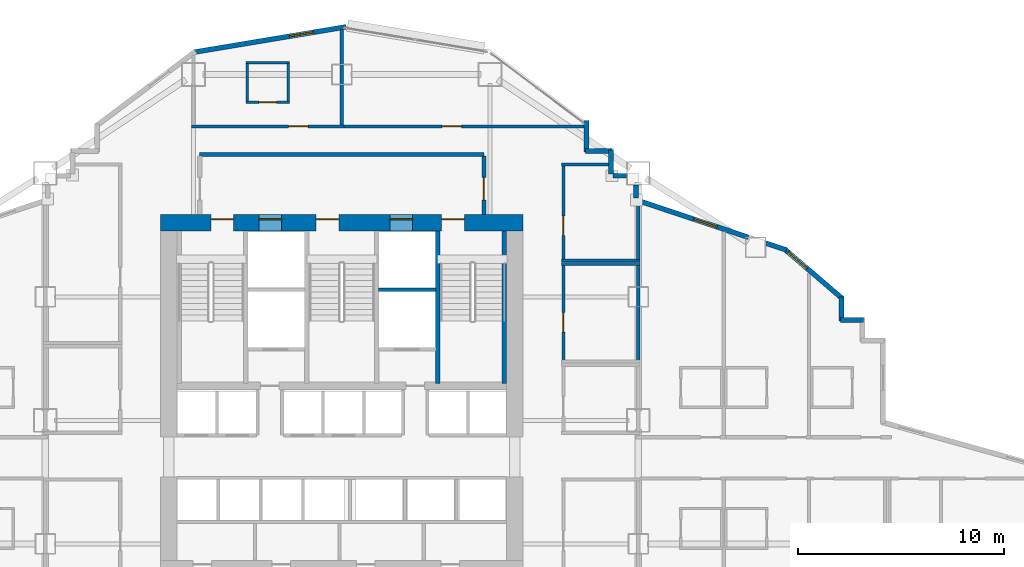
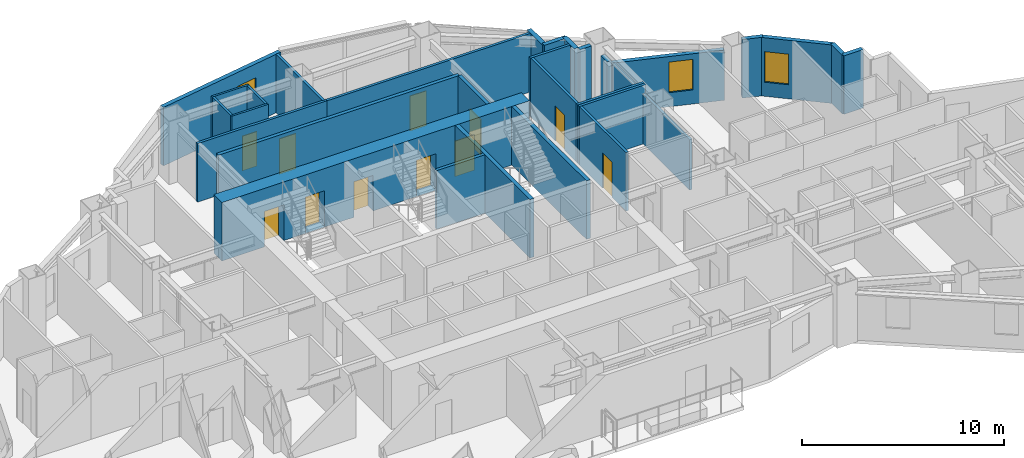
# One storey, part 12 of 16: 31 walls, 11 doors, 3 windows, 14 openings.
"""IFC4 building model written with IfcOpenShell, lengths in metres."""

from ifc_helpers import new_model, si_unit, direction, frame, frame_2d, origin, place, context, subcontext, project, spatial, rectangle, extrude, material, layer, layer_set, type_object, element, fill, save


model = new_model("IFC4")

# Units and contexts
model_context = context("Model", 3, precision=1e-05, world=origin(), true_north=direction((0.0, 1.0)))
body_context = subcontext(model_context, "Body", "Model", "MODEL_VIEW")
ifc_project = project(units=[si_unit("LENGTHUNIT", "METRE"), si_unit("AREAUNIT", "SQUARE_METRE"), si_unit("VOLUMEUNIT", "CUBIC_METRE"), si_unit("PLANEANGLEUNIT", "RADIAN"), si_unit("MASSUNIT", "GRAM", prefix="KILO")], contexts=[model_context])

# Site, building, storey
site_placement = place(None, origin())
site = spatial("IfcSite", under=ifc_project, at=site_placement, CompositionType="ELEMENT")
building_placement = place(site_placement, origin())
building = spatial("IfcBuilding", under=site, at=building_placement, Name="Haolan Belvedere Tower", CompositionType="ELEMENT")
storey_placement = place(building_placement, frame((0.0, 0.0, 85.60009765625)))
storey = spatial("IfcBuildingStorey", under=building, at=storey_placement, Name="L21", CompositionType="ELEMENT", Elevation=85.60009765625)

# Wall, openings, doors
ifc_material_1 = material(Name="Concrete C70/85", Category="concrete")
ifc_layer_1 = layer(ifc_material_1, 0.800048828125, Name="Concrete C70/85")
ifc_layer_set_1 = layer_set([ifc_layer_1], Name="Concrete C70/85")
wall_type_1 = type_object("IfcWallType", Name="WL-CORE-800", PredefinedType="SHEAR", material=ifc_layer_set_1)
wall_1_placement = place(storey_placement, frame((29.60009765625, 43.199951171875, 0.0), z_axis=(0.0, 0.0, 1.0), x_axis=(1.0, 0.0, 0.0)))
wall_1 = element("IfcWall", 1, at=wall_1_placement, inside=storey, type_object=wall_type_1, Name="L21 central core north shear wall", PredefinedType="SHEAR", context=body_context, shape_type="SweptSolid", body=[
    extrude(rectangle(XDim=17.599853515625, YDim=0.800048828125, at=frame_2d((8.7998046875, 0.0))), origin(), (0.0, 0.0, 1.0), 3.539794921875),
])
opening_1_placement = place(wall_1_placement, frame((2.449951171875, 0.0, 0.0)))
opening_1 = element("IfcOpeningElement", 2, at=opening_1_placement, cuts=wall_1, Name="Opening FD-03", PredefinedType="OPENING", context=body_context, shape_type="SweptSolid", body=[
    extrude(rectangle(XDim=1.10009765625, YDim=2.14990234375, at=frame_2d((0.550048828125, 1.074951171875))), frame((0.0, 0.409912109375, 0.0), z_axis=(0.0, -1.0, 0.0), x_axis=(1.0, 0.0, 0.0)), (0.0, 0.0, 1.0), 0.820068359375),
])
opening_2_placement = place(wall_1_placement, frame((7.56005859375, 0.0, 0.0)))
opening_2 = element("IfcOpeningElement", 3, at=opening_2_placement, cuts=wall_1, Name="Opening FD-03", PredefinedType="OPENING", context=body_context, shape_type="SweptSolid", body=[
    extrude(rectangle(XDim=1.10009765625, YDim=2.14990234375, at=frame_2d((0.550048828125, 1.074951171875))), frame((0.0, 0.409912109375, 0.0), z_axis=(0.0, -1.0, 0.0), x_axis=(1.0, 0.0, 0.0)), (0.0, 0.0, 1.0), 0.820068359375),
])
opening_3_placement = place(wall_1_placement, frame((13.64990234375, 0.0, 0.0)))
opening_3 = element("IfcOpeningElement", 4, at=opening_3_placement, cuts=wall_1, Name="Opening FD-03", PredefinedType="OPENING", context=body_context, shape_type="SweptSolid", body=[
    extrude(rectangle(XDim=1.10009765625, YDim=2.14990234375, at=frame_2d((0.550048828125, 1.074951171875))), frame((0.0, 0.409912109375, 0.0), z_axis=(0.0, -1.0, 0.0), x_axis=(1.0, 0.0, 0.0)), (0.0, 0.0, 1.0), 0.820068359375),
])
opening_4_placement = place(wall_1_placement, frame((4.780029296875, 0.0, 0.0)))
opening_4 = element("IfcOpeningElement", 5, at=opening_4_placement, cuts=wall_1, Name="Opening LD-01", PredefinedType="OPENING", context=body_context, shape_type="SweptSolid", body=[
    extrude(rectangle(XDim=1.10009765625, YDim=2.199951171875, at=frame_2d((0.550048828125, 1.10009765625))), frame((0.0, 0.409912109375, 0.0), z_axis=(0.0, -1.0, 0.0), x_axis=(1.0, 0.0, 0.0)), (0.0, 0.0, 1.0), 0.820068359375),
])
opening_5_placement = place(wall_1_placement, frame((11.139892578125, 0.0, 0.0)))
opening_5 = element("IfcOpeningElement", 6, at=opening_5_placement, cuts=wall_1, Name="Opening LD-01", PredefinedType="OPENING", context=body_context, shape_type="SweptSolid", body=[
    extrude(rectangle(XDim=1.10009765625, YDim=2.199951171875, at=frame_2d((0.550048828125, 1.10009765625))), frame((0.0, 0.409912109375, 0.0), z_axis=(0.0, -1.0, 0.0), x_axis=(1.0, 0.0, 0.0)), (0.0, 0.0, 1.0), 0.820068359375),
])
ifc_material_2 = material(Name="Galvanised fire-rated steel", Category="steel")
door_type_1 = type_object("IfcDoorType", Name="DR-FD90-1100", OperationType="NOTDEFINED", PredefinedType="DOOR", material=ifc_material_2)
door_1_placement = place(opening_1_placement, origin())
door_1 = element("IfcDoor", 7, at=door_1_placement, inside=storey, type_object=door_type_1, Name="L21 door CD-L21-ST1", OperationType="SINGLE_SWING_LEFT", OverallHeight=2.14990234375, OverallWidth=1.10009765625, PredefinedType="DOOR", context=body_context, shape_type="SweptSolid", body=[
    extrude(rectangle(XDim=1.10009765625, YDim=2.14990234375, at=frame_2d((0.550048828125, 1.074951171875))), frame((0.0, 0.18505859375, 0.0), z_axis=(0.0, -1.0, 0.0), x_axis=(1.0, 0.0, 0.0)), (0.0, 0.0, 1.0), 0.050048828125),
])
fill(opening_1, door_1)
door_2_placement = place(opening_2_placement, origin())
door_2 = element("IfcDoor", 8, at=door_2_placement, inside=storey, type_object=door_type_1, Name="L21 door CD-L21-ST3", OperationType="SINGLE_SWING_LEFT", OverallHeight=2.14990234375, OverallWidth=1.10009765625, PredefinedType="DOOR", context=body_context, shape_type="SweptSolid", body=[
    extrude(rectangle(XDim=1.10009765625, YDim=2.14990234375, at=frame_2d((0.550048828125, 1.074951171875))), frame((0.0, 0.18505859375, 0.0), z_axis=(0.0, -1.0, 0.0), x_axis=(1.0, 0.0, 0.0)), (0.0, 0.0, 1.0), 0.050048828125),
])
fill(opening_2, door_2)
door_3_placement = place(opening_3_placement, origin())
door_3 = element("IfcDoor", 9, at=door_3_placement, inside=storey, type_object=door_type_1, Name="L21 door CD-L21-ST2", OperationType="SINGLE_SWING_RIGHT", OverallHeight=2.14990234375, OverallWidth=1.10009765625, PredefinedType="DOOR", context=body_context, shape_type="SweptSolid", body=[
    extrude(rectangle(XDim=1.10009765625, YDim=2.14990234375, at=frame_2d((0.550048828125, 1.074951171875))), frame((0.0, 0.18505859375, 0.0), z_axis=(0.0, -1.0, 0.0), x_axis=(1.0, 0.0, 0.0)), (0.0, 0.0, 1.0), 0.050048828125),
])
fill(opening_3, door_3)
ifc_material_3 = material(Name="Brushed champagne stainless steel 316L", Category="steel")
door_type_2 = type_object("IfcDoorType", Name="DR-LIFT-1100", OperationType="SLIDING_TO_LEFT", PredefinedType="DOOR", material=ifc_material_3)
door_4_placement = place(opening_4_placement, origin())
door_4 = element("IfcDoor", 10, at=door_4_placement, inside=storey, type_object=door_type_2, Name="L21 door LD-L21-FF1", OperationType="SLIDING_TO_LEFT", OverallHeight=2.199951171875, OverallWidth=1.10009765625, PredefinedType="DOOR", context=body_context, shape_type="SweptSolid", body=[
    extrude(rectangle(XDim=1.10009765625, YDim=2.199951171875, at=frame_2d((0.550048828125, 1.10009765625))), frame((0.0, 0.18505859375, 0.0), z_axis=(0.0, -1.0, 0.0), x_axis=(1.0, 0.0, 0.0)), (0.0, 0.0, 1.0), 0.050048828125),
])
fill(opening_4, door_4)
door_5_placement = place(opening_5_placement, origin())
door_5 = element("IfcDoor", 11, at=door_5_placement, inside=storey, type_object=door_type_2, Name="L21 door LD-L21-FF2", OperationType="SLIDING_TO_LEFT", OverallHeight=2.199951171875, OverallWidth=1.10009765625, PredefinedType="DOOR", context=body_context, shape_type="SweptSolid", body=[
    extrude(rectangle(XDim=1.10009765625, YDim=2.199951171875, at=frame_2d((0.550048828125, 1.10009765625))), frame((0.0, 0.18505859375, 0.0), z_axis=(0.0, -1.0, 0.0), x_axis=(1.0, 0.0, 0.0)), (0.0, 0.0, 1.0), 0.050048828125),
])
fill(opening_5, door_5)

# Walls
ifc_material_4 = material(Name="Precast concrete C40/50", Category="concrete")
ifc_layer_2 = layer(ifc_material_4, 0.239990234375, Name="Precast concrete C40/50")
ifc_layer_set_2 = layer_set([ifc_layer_2], Name="Precast concrete C40/50")
wall_type_2 = type_object("IfcWallType", Name="WL-EXT-240", PredefinedType="SOLIDWALL", material=ifc_layer_set_2)
wall_2_placement = place(storey_placement, frame((63.735107421875, 38.47998046875, 0.0), z_axis=(0.0, 0.0, 1.0), x_axis=(-1.0, 0.0, 0.0)))
element("IfcWall", 12, at=wall_2_placement, inside=storey, type_object=wall_type_2, Name="L21 pale-metal exterior spandrel wall 32.1", PredefinedType="SOLIDWALL", context=body_context, shape_type="SweptSolid", body=[
    extrude(rectangle(XDim=1.110107421875, YDim=0.239990234375, at=frame_2d((0.55517578125, 0.0))), origin(), (0.0, 0.0, 1.0), 3.539794921875),
])
wall_3_placement = place(storey_placement, frame((62.679931640625, 38.425048828125, 0.0), z_axis=(0.0, 0.0, 1.0), x_axis=(0.0, 1.0, 0.0)))
element("IfcWall", 13, at=wall_3_placement, inside=storey, type_object=wall_type_2, Name="L21 pale-metal exterior spandrel wall 33.1", PredefinedType="SOLIDWALL", context=body_context, shape_type="SweptSolid", body=[
    extrude(rectangle(XDim=1.1748046875, YDim=0.239990234375, at=frame_2d((0.58740234375, 0.0))), origin(), (0.0, 0.0, 1.0), 3.539794921875),
])

# Wall, opening, window
wall_4_placement = place(storey_placement, frame((62.7216796875, 39.509033203125, 0.0), z_axis=(0.0, 0.0, 1.0), x_axis=(-0.759247334792, 0.650802185469, 0.0)))
wall_4 = element("IfcWall", 14, at=wall_4_placement, inside=storey, type_object=wall_type_2, Name="L21 pale-metal exterior spandrel wall 34.1", PredefinedType="SOLIDWALL", context=body_context, shape_type="SweptSolid", body=[
    extrude(rectangle(XDim=3.71923828125, YDim=0.239990234375, at=frame_2d((1.859619140625, 0.0))), origin(), (0.0, 0.0, 1.0), 3.539794921875),
])
opening_6_placement = place(wall_4_placement, frame((2.281005859375, 0.0, 0.85009765625)))
opening_6 = element("IfcOpeningElement", 15, at=opening_6_placement, cuts=wall_4, Name="Opening W-01", PredefinedType="OPENING", context=body_context, shape_type="SweptSolid", body=[
    extrude(rectangle(XDim=1.199951171875, YDim=1.85009765625, at=frame_2d((0.60009765625, 0.925048828125))), frame((0.0, 0.1298828125, 0.0), z_axis=(0.0, -1.0, 0.0), x_axis=(1.0, 0.0, 0.0)), (0.0, 0.0, 1.0), 0.260009765625),
])
ifc_material_5 = material(Name="Anodised aluminium 6063-T6 and Low-E glass", Category="aluminium")
window_type = type_object("IfcWindowType", Name="WN-DECO-Z1", PartitioningType="SINGLE_PANEL", PredefinedType="WINDOW", material=ifc_material_5)
window_1_placement = place(opening_6_placement, origin())
window_1 = element("IfcWindow", 16, at=window_1_placement, inside=storey, type_object=window_type, Name="L21 Art Deco chevron window 1", OverallHeight=1.85009765625, OverallWidth=1.199951171875, PartitioningType="SINGLE_PANEL", PredefinedType="WINDOW", context=body_context, shape_type="SweptSolid", body=[
    extrude(rectangle(XDim=1.199951171875, YDim=1.85009765625, at=frame_2d((0.60009765625, 0.925048828125))), frame((0.0, 0.030029296875, 0.0), z_axis=(0.0, -1.0, 0.0), x_axis=(1.0, 0.0, 0.0)), (0.0, 0.0, 1.0), 0.06005859375),
])
fill(opening_6, window_1)

# Wall
wall_5_placement = place(storey_placement, frame((59.991943359375, 41.876220703125, 0.0), z_axis=(0.0, 0.0, 1.0), x_axis=(-0.948706457285, 0.316158279832, 0.0)))
element("IfcWall", 17, at=wall_5_placement, inside=storey, type_object=wall_type_2, Name="L21 pale-metal exterior spandrel wall 35.1", PredefinedType="SOLIDWALL", context=body_context, shape_type="SweptSolid", body=[
    extrude(rectangle(XDim=1.053955078125, YDim=0.239990234375, at=frame_2d((0.52685546875, 0.0))), origin(), (0.0, 0.0, 1.0), 3.539794921875),
])

# Wall, opening, window
wall_6_placement = place(storey_placement, frame((58.14453125, 42.491943359375, 0.0), z_axis=(0.0, 0.0, 1.0), x_axis=(-0.948683298051, 0.316227766017, 0.0)))
wall_6 = element("IfcWall", 18, at=wall_6_placement, inside=storey, type_object=wall_type_2, Name="L21 pale-metal exterior spandrel wall 35.2", PredefinedType="SOLIDWALL", context=body_context, shape_type="SweptSolid", body=[
    extrude(rectangle(XDim=5.67529296875, YDim=0.239990234375, at=frame_2d((2.837646484375, 0.0))), origin(), (0.0, 0.0, 1.0), 3.036865234375),
])
opening_7_placement = place(wall_6_placement, frame((1.60009765625, 0.0, 0.85009765625)))
opening_7 = element("IfcOpeningElement", 19, at=opening_7_placement, cuts=wall_6, Name="Opening W-01", PredefinedType="OPENING", context=body_context, shape_type="SweptSolid", body=[
    extrude(rectangle(XDim=1.199951171875, YDim=1.85009765625, at=frame_2d((0.60009765625, 0.925048828125))), frame((0.0, 0.1298828125, 0.0), z_axis=(0.0, -1.0, 0.0), x_axis=(1.0, 0.0, 0.0)), (0.0, 0.0, 1.0), 0.260009765625),
])
window_2_placement = place(opening_7_placement, origin())
window_2 = element("IfcWindow", 20, at=window_2_placement, inside=storey, type_object=window_type, Name="L21 Art Deco chevron window 1", OverallHeight=1.85009765625, OverallWidth=1.199951171875, PartitioningType="SINGLE_PANEL", PredefinedType="WINDOW", context=body_context, shape_type="SweptSolid", body=[
    extrude(rectangle(XDim=1.199951171875, YDim=1.85009765625, at=frame_2d((0.60009765625, 0.925048828125))), frame((0.0, 0.030029296875, 0.0), z_axis=(0.0, -1.0, 0.0), x_axis=(1.0, 0.0, 0.0)), (0.0, 0.0, 1.0), 0.06005859375),
])
fill(opening_7, window_2)

# Walls
wall_7_placement = place(storey_placement, frame((52.679931640625, 44.3984375, 0.0), z_axis=(0.0, 0.0, 1.0), x_axis=(0.0, 1.0, 0.0)))
element("IfcWall", 21, at=wall_7_placement, inside=storey, type_object=wall_type_2, Name="L21 pale-metal exterior spandrel wall 36.1", PredefinedType="SOLIDWALL", context=body_context, shape_type="SweptSolid", body=[
    extrude(rectangle(XDim=0.634521484375, YDim=0.239990234375, at=frame_2d((0.3173828125, 0.0))), origin(), (0.0, 0.0, 1.0), 3.036865234375),
])
wall_8_placement = place(storey_placement, frame((52.23291015625, 45.47998046875, 0.0), z_axis=(0.0, 0.0, 1.0), x_axis=(-1.0, 0.0, 0.0)))
element("IfcWall", 22, at=wall_8_placement, inside=storey, type_object=wall_type_2, Name="L21 pale-metal exterior spandrel wall 37.1", PredefinedType="SOLIDWALL", context=body_context, shape_type="SweptSolid", body=[
    extrude(rectangle(XDim=0.66796875, YDim=0.239990234375, at=frame_2d((0.333984375, 0.0))), origin(), (0.0, 0.0, 1.0), 3.539794921875),
])
wall_9_placement = place(storey_placement, frame((51.47998046875, 45.56494140625, 0.0), z_axis=(0.0, 0.0, 1.0), x_axis=(0.0, 1.0, 0.0)))
element("IfcWall", 23, at=wall_9_placement, inside=storey, type_object=wall_type_2, Name="L21 pale-metal exterior spandrel wall 38.1", PredefinedType="SOLIDWALL", context=body_context, shape_type="SweptSolid", body=[
    extrude(rectangle(XDim=1.170166015625, YDim=0.239990234375, at=frame_2d((0.5849609375, 0.0))), origin(), (0.0, 0.0, 1.0), 3.539794921875),
])
wall_10_placement = place(storey_placement, frame((51.534912109375, 46.679931640625, 0.0), z_axis=(0.0, 0.0, 1.0), x_axis=(-1.0, 0.0, 0.0)))
element("IfcWall", 24, at=wall_10_placement, inside=storey, type_object=wall_type_2, Name="L21 pale-metal exterior spandrel wall 39.1", PredefinedType="SOLIDWALL", context=body_context, shape_type="SweptSolid", body=[
    extrude(rectangle(XDim=1.309814453125, YDim=0.239990234375, at=frame_2d((0.65478515625, 0.0))), origin(), (0.0, 0.0, 1.0), 3.539794921875),
])
wall_11_placement = place(storey_placement, frame((50.280029296875, 46.625, 0.0), z_axis=(0.0, 0.0, 1.0), x_axis=(0.0, 1.0, 0.0)))
element("IfcWall", 25, at=wall_11_placement, inside=storey, type_object=wall_type_2, Name="L21 pale-metal exterior spandrel wall 40.1", PredefinedType="SOLIDWALL", context=body_context, shape_type="SweptSolid", body=[
    extrude(rectangle(XDim=1.5400390625, YDim=0.239990234375, at=frame_2d((0.77001953125, 0.0))), origin(), (0.0, 0.0, 1.0), 3.539794921875),
])

# Wall, opening, window
wall_12_placement = place(storey_placement, frame((38.621826171875, 52.71533203125, 0.0), z_axis=(0.0, 0.0, 1.0), x_axis=(-0.98639129485, -0.164414760418, 0.0)))
wall_12 = element("IfcWall", 26, at=wall_12_placement, inside=storey, type_object=wall_type_2, Name="L21 pale-metal exterior spandrel wall 43.1", PredefinedType="SOLIDWALL", context=body_context, shape_type="SweptSolid", body=[
    extrude(rectangle(XDim=7.530029296875, YDim=0.239990234375, at=frame_2d((3.76513671875, 0.0))), origin(), (0.0, 0.0, 1.0), 3.539794921875),
])
opening_8_placement = place(wall_12_placement, frame((1.60009765625, 0.0, 0.85009765625)))
opening_8 = element("IfcOpeningElement", 27, at=opening_8_placement, cuts=wall_12, Name="Opening W-01", PredefinedType="OPENING", context=body_context, shape_type="SweptSolid", body=[
    extrude(rectangle(XDim=1.199951171875, YDim=1.85009765625, at=frame_2d((0.60009765625, 0.925048828125))), frame((0.0, 0.1298828125, 0.0), z_axis=(0.0, -1.0, 0.0), x_axis=(1.0, 0.0, 0.0)), (0.0, 0.0, 1.0), 0.260009765625),
])
window_3_placement = place(opening_8_placement, origin())
window_3 = element("IfcWindow", 28, at=window_3_placement, inside=storey, type_object=window_type, Name="L21 Art Deco chevron window 1", OverallHeight=1.85009765625, OverallWidth=1.199951171875, PartitioningType="SINGLE_PANEL", PredefinedType="WINDOW", context=body_context, shape_type="SweptSolid", body=[
    extrude(rectangle(XDim=1.199951171875, YDim=1.85009765625, at=frame_2d((0.60009765625, 0.925048828125))), frame((0.0, 0.030029296875, 0.0), z_axis=(0.0, -1.0, 0.0), x_axis=(1.0, 0.0, 0.0)), (0.0, 0.0, 1.0), 0.06005859375),
])
fill(opening_8, window_3)

# Wall
ifc_material_6 = material(Name="Concrete C40/50", Category="concrete")
ifc_layer_3 = layer(ifc_material_6, 0.199951171875, Name="Concrete C40/50")
ifc_layer_set_3 = layer_set([ifc_layer_3], Name="Concrete C40/50")
wall_type_3 = type_object("IfcWallType", Name="WL-FIRE-200", PredefinedType="SOLIDWALL", material=ifc_layer_set_3)
wall_13_placement = place(storey_placement, frame((31.5, 46.52001953125, 0.0), z_axis=(0.0, 0.0, 1.0), x_axis=(1.0, 0.0, 0.0)))
element("IfcWall", 29, at=wall_13_placement, inside=storey, type_object=wall_type_3, Name="L21 interior partition IW-L21-FFL-N", PredefinedType="SOLIDWALL", context=body_context, shape_type="SweptSolid", body=[
    extrude(rectangle(XDim=13.800048828125, YDim=0.199951171875, at=frame_2d((6.89990234375, 0.0))), origin(), (0.0, 0.0, 1.0), 3.539794921875),
])

# Wall, opening, door
wall_14_placement = place(storey_placement, frame((45.300048828125, 43.60009765625, 0.0), z_axis=(0.0, 0.0, 1.0), x_axis=(0.0, 1.0, 0.0)))
wall_14 = element("IfcWall", 30, at=wall_14_placement, inside=storey, type_object=wall_type_3, Name="L21 interior partition IW-L21-FFL-E", PredefinedType="SOLIDWALL", context=body_context, shape_type="SweptSolid", body=[
    extrude(rectangle(XDim=2.8349609375, YDim=0.199951171875, at=frame_2d((1.41748046875, 0.0))), origin(), (0.0, 0.0, 1.0), 3.539794921875),
])
opening_9_placement = place(wall_14_placement, frame((0.699951171875, 0.0, 0.0)))
opening_9 = element("IfcOpeningElement", 31, at=opening_9_placement, cuts=wall_14, Name="Opening FD-03", PredefinedType="OPENING", context=body_context, shape_type="SweptSolid", body=[
    extrude(rectangle(XDim=1.10009765625, YDim=2.14990234375, at=frame_2d((0.550048828125, 1.074951171875))), frame((0.0, 0.10986328125, 0.0), z_axis=(0.0, -1.0, 0.0), x_axis=(1.0, 0.0, 0.0)), (0.0, 0.0, 1.0), 0.219970703125),
])
door_6_placement = place(opening_9_placement, origin())
door_6 = element("IfcDoor", 32, at=door_6_placement, inside=storey, type_object=door_type_1, Name="L21 door ID-L21-FFL-DE", OperationType="SINGLE_SWING_RIGHT", OverallHeight=2.14990234375, OverallWidth=1.10009765625, PredefinedType="DOOR", context=body_context, shape_type="SweptSolid", body=[
    extrude(rectangle(XDim=1.10009765625, YDim=2.14990234375, at=frame_2d((0.550048828125, 1.074951171875))), frame((0.0, 0.02490234375, 0.0), z_axis=(0.0, -1.0, 0.0), x_axis=(1.0, 0.0, 0.0)), (0.0, 0.0, 1.0), 0.050048828125),
])
fill(opening_9, door_6)

# Wall
ifc_material_7 = material(Name="Double gypsum acoustic stud partition", Category="masonry")
ifc_layer_4 = layer(ifc_material_7, 0.14990234375, Name="Double gypsum acoustic stud partition")
ifc_layer_set_4 = layer_set([ifc_layer_4], Name="Double gypsum acoustic stud partition")
wall_type_4 = type_object("IfcWallType", Name="WL-PART-150", PredefinedType="PARTITIONING", material=ifc_layer_set_4)
wall_15_placement = place(storey_placement, frame((49.080078125, 41.199951171875, 0.0), z_axis=(0.0, 0.0, 1.0), x_axis=(1.0, 0.0, 0.0)))
element("IfcWall", 33, at=wall_15_placement, inside=storey, type_object=wall_type_4, Name="L21 interior partition IW-L21-STY-N", PredefinedType="PARTITIONING", context=body_context, shape_type="SweptSolid", body=[
    extrude(rectangle(XDim=3.7998046875, YDim=0.14990234375, at=frame_2d((1.89990234375, 0.0))), origin(), (0.0, 0.0, 1.0), 3.539794921875),
])

# Wall, opening, door
wall_16_placement = place(storey_placement, frame((49.159912109375, 36.52001953125, 0.0), z_axis=(0.0, 0.0, 1.0), x_axis=(0.0, 1.0, 0.0)))
wall_16 = element("IfcWall", 34, at=wall_16_placement, inside=storey, type_object=wall_type_4, Name="L21 interior partition IW-L21-STY-W", PredefinedType="PARTITIONING", context=body_context, shape_type="SweptSolid", body=[
    extrude(rectangle(XDim=4.619873046875, YDim=0.14990234375, at=frame_2d((2.31005859375, 0.0))), origin(), (0.0, 0.0, 1.0), 3.539794921875),
])
opening_10_placement = place(wall_16_placement, frame((1.360107421875, 0.0, 0.0)))
opening_10 = element("IfcOpeningElement", 35, at=opening_10_placement, cuts=wall_16, Name="Opening ID-03", PredefinedType="OPENING", context=body_context, shape_type="SweptSolid", body=[
    extrude(rectangle(XDim=0.949951171875, YDim=2.1201171875, at=frame_2d((0.47509765625, 1.06005859375))), frame((0.0, 0.0849609375, 0.0), z_axis=(0.0, -1.0, 0.0), x_axis=(1.0, 0.0, 0.0)), (0.0, 0.0, 1.0), 0.169921875),
])
ifc_material_8 = material(Name="Painted solid-core timber", Category="wood")
door_type_3 = type_object("IfcDoorType", Name="DR-INT-950", OperationType="NOTDEFINED", PredefinedType="DOOR", material=ifc_material_8)
door_7_placement = place(opening_10_placement, origin())
door_7 = element("IfcDoor", 36, at=door_7_placement, inside=storey, type_object=door_type_3, Name="L21 door ID-L21-STY", OperationType="SINGLE_SWING_RIGHT", OverallHeight=2.1201171875, OverallWidth=0.949951171875, PredefinedType="DOOR", context=body_context, shape_type="SweptSolid", body=[
    extrude(rectangle(XDim=0.949951171875, YDim=2.1201171875, at=frame_2d((0.47509765625, 1.06005859375))), frame((0.0, 0.02490234375, 0.0), z_axis=(0.0, -1.0, 0.0), x_axis=(1.0, 0.0, 0.0)), (0.0, 0.0, 1.0), 0.050048828125),
])
fill(opening_10, door_7)

# Walls
wall_17_placement = place(storey_placement, frame((52.800048828125, 36.52001953125, 0.0), z_axis=(0.0, 0.0, 1.0), x_axis=(0.0, 1.0, 0.0)))
element("IfcWall", 37, at=wall_17_placement, inside=storey, type_object=wall_type_4, Name="L21 interior partition IW-L21-STY-E", PredefinedType="PARTITIONING", context=body_context, shape_type="SweptSolid", body=[
    extrude(rectangle(XDim=4.619873046875, YDim=0.14990234375, at=frame_2d((2.31005859375, 0.0))), origin(), (0.0, 0.0, 1.0), 3.036865234375),
])
wall_18_placement = place(storey_placement, frame((49.080078125, 46.02001953125, 0.0), z_axis=(0.0, 0.0, 1.0), x_axis=(1.0, 0.0, 0.0)))
element("IfcWall", 38, at=wall_18_placement, inside=storey, type_object=wall_type_4, Name="L21 interior partition IW-L21-PNT-N", PredefinedType="PARTITIONING", context=body_context, shape_type="SweptSolid", body=[
    extrude(rectangle(XDim=2.294921875, YDim=0.14990234375, at=frame_2d((1.1474609375, 0.0))), origin(), (0.0, 0.0, 1.0), 3.539794921875),
])
wall_19_placement = place(storey_placement, frame((49.080078125, 41.360107421875, 0.0), z_axis=(0.0, 0.0, 1.0), x_axis=(1.0, 0.0, 0.0)))
element("IfcWall", 39, at=wall_19_placement, inside=storey, type_object=wall_type_4, Name="L21 interior partition IW-L21-PNT-S", PredefinedType="PARTITIONING", context=body_context, shape_type="SweptSolid", body=[
    extrude(rectangle(XDim=3.7998046875, YDim=0.14990234375, at=frame_2d((1.89990234375, 0.0))), origin(), (0.0, 0.0, 1.0), 3.539794921875),
])

# Wall, opening, door
wall_20_placement = place(storey_placement, frame((49.159912109375, 41.419921875, 0.0), z_axis=(0.0, 0.0, 1.0), x_axis=(0.0, 1.0, 0.0)))
wall_20 = element("IfcWall", 40, at=wall_20_placement, inside=storey, type_object=wall_type_4, Name="L21 interior partition IW-L21-PNT-W", PredefinedType="PARTITIONING", context=body_context, shape_type="SweptSolid", body=[
    extrude(rectangle(XDim=4.5400390625, YDim=0.14990234375, at=frame_2d((2.27001953125, 0.0))), origin(), (0.0, 0.0, 1.0), 3.539794921875),
])
opening_11_placement = place(wall_20_placement, frame((1.159912109375, 0.0, 0.0)))
opening_11 = element("IfcOpeningElement", 41, at=opening_11_placement, cuts=wall_20, Name="Opening ID-03", PredefinedType="OPENING", context=body_context, shape_type="SweptSolid", body=[
    extrude(rectangle(XDim=0.949951171875, YDim=2.1201171875, at=frame_2d((0.47509765625, 1.06005859375))), frame((0.0, 0.0849609375, 0.0), z_axis=(0.0, -1.0, 0.0), x_axis=(1.0, 0.0, 0.0)), (0.0, 0.0, 1.0), 0.169921875),
])
door_8_placement = place(opening_11_placement, origin())
door_8 = element("IfcDoor", 42, at=door_8_placement, inside=storey, type_object=door_type_3, Name="L21 door ID-L21-PNT", OperationType="SINGLE_SWING_LEFT", OverallHeight=2.1201171875, OverallWidth=0.949951171875, PredefinedType="DOOR", context=body_context, shape_type="SweptSolid", body=[
    extrude(rectangle(XDim=0.949951171875, YDim=2.1201171875, at=frame_2d((0.47509765625, 1.06005859375))), frame((0.0, 0.02490234375, 0.0), z_axis=(0.0, -1.0, 0.0), x_axis=(1.0, 0.0, 0.0)), (0.0, 0.0, 1.0), 0.050048828125),
])
fill(opening_11, door_8)

# Wall
wall_21_placement = place(storey_placement, frame((52.800048828125, 41.419921875, 0.0), z_axis=(0.0, 0.0, 1.0), x_axis=(0.0, 1.0, 0.0)))
element("IfcWall", 43, at=wall_21_placement, inside=storey, type_object=wall_type_4, Name="L21 interior partition IW-L21-PNT-E", PredefinedType="PARTITIONING", context=body_context, shape_type="SweptSolid", body=[
    extrude(rectangle(XDim=2.742919921875, YDim=0.14990234375, at=frame_2d((1.37158203125, 0.0))), origin(), (0.0, 0.0, 1.0), 3.036865234375),
])

# Wall, opening, door
wall_22_placement = place(storey_placement, frame((31.10009765625, 47.8798828125, 0.0), z_axis=(0.0, 0.0, 1.0), x_axis=(1.0, 0.0, 0.0)))
wall_22 = element("IfcWall", 44, at=wall_22_placement, inside=storey, type_object=wall_type_4, Name="L21 interior partition IW-L21-KN2-S", PredefinedType="PARTITIONING", context=body_context, shape_type="SweptSolid", body=[
    extrude(rectangle(XDim=7.39990234375, YDim=0.14990234375, at=frame_2d((3.699951171875, 0.0))), origin(), (0.0, 0.0, 1.0), 3.539794921875),
])
opening_12_placement = place(wall_22_placement, frame((4.713623046875, 0.0, 0.0)))
opening_12 = element("IfcOpeningElement", 45, at=opening_12_placement, cuts=wall_22, Name="Opening ID-02", PredefinedType="OPENING", context=body_context, shape_type="SweptSolid", body=[
    extrude(rectangle(XDim=0.949951171875, YDim=2.14990234375, at=frame_2d((0.47509765625, 1.074951171875))), frame((0.0, 0.0849609375, 0.0), z_axis=(0.0, -1.0, 0.0), x_axis=(1.0, 0.0, 0.0)), (0.0, 0.0, 1.0), 0.169921875),
])
ifc_material_9 = material(Name="Acoustic oak veneer fire-rated timber", Category="wood")
door_type_4 = type_object("IfcDoorType", Name="DR-GUEST-950", OperationType="NOTDEFINED", PredefinedType="DOOR", material=ifc_material_9)
door_9_placement = place(opening_12_placement, origin())
door_9 = element("IfcDoor", 46, at=door_9_placement, inside=storey, type_object=door_type_4, Name="L21 door ID-L21-KN2-ENT", OperationType="SINGLE_SWING_LEFT", OverallHeight=2.14990234375, OverallWidth=0.949951171875, PredefinedType="DOOR", context=body_context, shape_type="SweptSolid", body=[
    extrude(rectangle(XDim=0.949951171875, YDim=2.14990234375, at=frame_2d((0.47509765625, 1.074951171875))), frame((0.0, 0.02490234375, 0.0), z_axis=(0.0, -1.0, 0.0), x_axis=(1.0, 0.0, 0.0)), (0.0, 0.0, 1.0), 0.050048828125),
])
fill(opening_12, door_9)

# Wall
wall_23_placement = place(storey_placement, frame((38.39990234375, 47.93994140625, 0.0), z_axis=(0.0, 0.0, 1.0), x_axis=(0.0, 1.0, 0.0)))
element("IfcWall", 47, at=wall_23_placement, inside=storey, type_object=wall_type_4, Name="L21 interior partition IW-L21-KN2-E", PredefinedType="PARTITIONING", context=body_context, shape_type="SweptSolid", body=[
    extrude(rectangle(XDim=4.632080078125, YDim=0.14990234375, at=frame_2d((2.31591796875, 0.0))), origin(), (0.0, 0.0, 1.0), 3.539794921875),
])

# Wall, opening, door
wall_24_placement = place(storey_placement, frame((38.501953125, 47.8798828125, 0.0), z_axis=(0.0, 0.0, 1.0), x_axis=(1.0, 0.0, 0.0)))
wall_24 = element("IfcWall", 48, at=wall_24_placement, inside=storey, type_object=wall_type_4, Name="L21 interior partition IW-L21-KN3-S", PredefinedType="PARTITIONING", context=body_context, shape_type="SweptSolid", body=[
    extrude(rectangle(XDim=11.673095703125, YDim=0.14990234375, at=frame_2d((5.83642578125, 0.0))), origin(), (0.0, 0.0, 1.0), 3.539794921875),
])
opening_13_placement = place(wall_24_placement, frame((4.77294921875, 0.0, 0.0)))
opening_13 = element("IfcOpeningElement", 49, at=opening_13_placement, cuts=wall_24, Name="Opening ID-03", PredefinedType="OPENING", context=body_context, shape_type="SweptSolid", body=[
    extrude(rectangle(XDim=0.949951171875, YDim=2.1201171875, at=frame_2d((0.47509765625, 1.06005859375))), frame((0.0, 0.0849609375, 0.0), z_axis=(0.0, -1.0, 0.0), x_axis=(1.0, 0.0, 0.0)), (0.0, 0.0, 1.0), 0.169921875),
])
door_10_placement = place(opening_13_placement, origin())
door_10 = element("IfcDoor", 50, at=door_10_placement, inside=storey, type_object=door_type_3, Name="L21 door ID-L21-KN3", OperationType="SINGLE_SWING_RIGHT", OverallHeight=2.1201171875, OverallWidth=0.949951171875, PredefinedType="DOOR", context=body_context, shape_type="SweptSolid", body=[
    extrude(rectangle(XDim=0.949951171875, YDim=2.1201171875, at=frame_2d((0.47509765625, 1.06005859375))), frame((0.0, 0.02490234375, 0.0), z_axis=(0.0, -1.0, 0.0), x_axis=(1.0, 0.0, 0.0)), (0.0, 0.0, 1.0), 0.050048828125),
])
fill(opening_13, door_10)

# Walls
ifc_layer_5 = layer(ifc_material_4, 0.179931640625, Name="Precast concrete C40/50")
ifc_layer_set_5 = layer_set([ifc_layer_5], Name="Precast concrete C40/50")
wall_type_5 = type_object("IfcWallType", Name="WL-SHAFT-180", PredefinedType="SOLIDWALL", material=ifc_layer_set_5)
wall_25_placement = place(storey_placement, frame((40.195068359375, 39.949951171875, 0.0), z_axis=(0.0, 0.0, 1.0), x_axis=(1.0, 0.0, 0.0)))
element("IfcWall", 51, at=wall_25_placement, inside=storey, type_object=wall_type_5, Name="L21 interior partition IW-L21-FF2-S", PredefinedType="SOLIDWALL", context=body_context, shape_type="SweptSolid", body=[
    extrude(rectangle(XDim=2.77001953125, YDim=0.179931640625, at=frame_2d((1.385009765625, 0.0))), origin(), (0.0, 0.0, 1.0), 3.539794921875),
])
ifc_material_10 = material(Name="Concrete C50/60", Category="concrete")
ifc_layer_6 = layer(ifc_material_10, 0.219970703125, Name="Concrete C50/60")
ifc_layer_set_6 = layer_set([ifc_layer_6], Name="Concrete C50/60")
wall_type_6 = type_object("IfcWallType", Name="WL-STAIR-220", PredefinedType="SHEAR", material=ifc_layer_set_6)
for number, where, z_axis, x_axis, name in (
    (52, (43.06005859375, 35.389892578125, 0.0), (0.0, 0.0, 1.0), (0.0, 1.0, 0.0), "L21 structural stair core wall ST2W"),
    (53, (46.2880859375, 35.389892578125, 0.0), (0.0, 0.0, 1.0), (0.0, 1.0, 0.0), "L21 structural stair core wall ST2E"),
):
    element("IfcWall", number, at=place(storey_placement, frame(where, z_axis=z_axis, x_axis=x_axis)), inside=storey, type_object=wall_type_6, Name=name, PredefinedType="SHEAR", context=body_context, shape_type="SweptSolid", body=[
        extrude(rectangle(XDim=7.41015625, YDim=0.219970703125, at=frame_2d((3.705078125, 0.0))), origin(), (0.0, 0.0, 1.0), 3.539794921875),
    ])
ifc_material_11 = material(Name="Moisture-resistant gypsum tile partition", Category="masonry")
ifc_layer_7 = layer(ifc_material_11, 0.1201171875, Name="Moisture-resistant gypsum tile partition")
ifc_layer_set_7 = layer_set([ifc_layer_7], Name="Moisture-resistant gypsum tile partition")
wall_type_7 = type_object("IfcWallType", Name="WL-WET-120", PredefinedType="PARTITIONING", material=ifc_layer_set_7)
wall_26_placement = place(storey_placement, frame((33.75, 50.97998046875, 0.0), z_axis=(0.0, 0.0, 1.0), x_axis=(1.0, 0.0, 0.0)))
element("IfcWall", 54, at=wall_26_placement, inside=storey, type_object=wall_type_7, Name="L21 interior partition IW-L21-KN2-BN", PredefinedType="PARTITIONING", context=body_context, shape_type="SweptSolid", body=[
    extrude(rectangle(XDim=2.10009765625, YDim=0.1201171875, at=frame_2d((1.050048828125, 0.0))), origin(), (0.0, 0.0, 1.0), 3.539794921875),
])

# Wall, opening, door
wall_27_placement = place(storey_placement, frame((33.75, 49.06005859375, 0.0), z_axis=(0.0, 0.0, 1.0), x_axis=(1.0, 0.0, 0.0)))
wall_27 = element("IfcWall", 55, at=wall_27_placement, inside=storey, type_object=wall_type_7, Name="L21 interior partition IW-L21-KN2-BS", PredefinedType="PARTITIONING", context=body_context, shape_type="SweptSolid", body=[
    extrude(rectangle(XDim=2.10009765625, YDim=0.1201171875, at=frame_2d((1.050048828125, 0.0))), origin(), (0.0, 0.0, 1.0), 3.539794921875),
])
opening_14_placement = place(wall_27_placement, frame((0.625, 0.0, 0.0)))
opening_14 = element("IfcOpeningElement", 56, at=opening_14_placement, cuts=wall_27, Name="Opening ID-05", PredefinedType="OPENING", context=body_context, shape_type="SweptSolid", body=[
    extrude(rectangle(XDim=0.85009765625, YDim=2.10009765625, at=frame_2d((0.425048828125, 1.050048828125))), frame((0.0, 0.070068359375, 0.0), z_axis=(0.0, -1.0, 0.0), x_axis=(1.0, 0.0, 0.0)), (0.0, 0.0, 1.0), 0.14013671875),
])
ifc_material_12 = material(Name="Moisture-resistant lacquered timber", Category="wood")
door_type_5 = type_object("IfcDoorType", Name="DR-BATH-850", OperationType="NOTDEFINED", PredefinedType="DOOR", material=ifc_material_12)
door_11_placement = place(opening_14_placement, origin())
door_11 = element("IfcDoor", 57, at=door_11_placement, inside=storey, type_object=door_type_5, Name="L21 door ID-L21-KN2-BATH", OperationType="SINGLE_SWING_RIGHT", OverallHeight=2.10009765625, OverallWidth=0.85009765625, PredefinedType="DOOR", context=body_context, shape_type="SweptSolid", body=[
    extrude(rectangle(XDim=0.85009765625, YDim=2.10009765625, at=frame_2d((0.425048828125, 1.050048828125))), frame((0.0, 0.02490234375, 0.0), z_axis=(0.0, -1.0, 0.0), x_axis=(1.0, 0.0, 0.0)), (0.0, 0.0, 1.0), 0.050048828125),
])
fill(opening_14, door_11)

# Walls
for number, where, z_axis, x_axis, name in (
    (58, (33.81005859375, 49.10498046875, 0.0), (0.0, 0.0, 1.0), (0.0, 1.0, 0.0), "L21 interior partition IW-L21-KN2-BW"),
    (59, (35.7900390625, 49.10498046875, 0.0), (0.0, 0.0, 1.0), (0.0, 1.0, 0.0), "L21 interior partition IW-L21-KN2-BE"),
):
    element("IfcWall", number, at=place(storey_placement, frame(where, z_axis=z_axis, x_axis=x_axis)), inside=storey, type_object=wall_type_7, Name=name, PredefinedType="PARTITIONING", context=body_context, shape_type="SweptSolid", body=[
        extrude(rectangle(XDim=1.830078125, YDim=0.1201171875, at=frame_2d((0.9150390625, 0.0))), origin(), (0.0, 0.0, 1.0), 3.539794921875),
    ])

save(model, "model.ifc")
